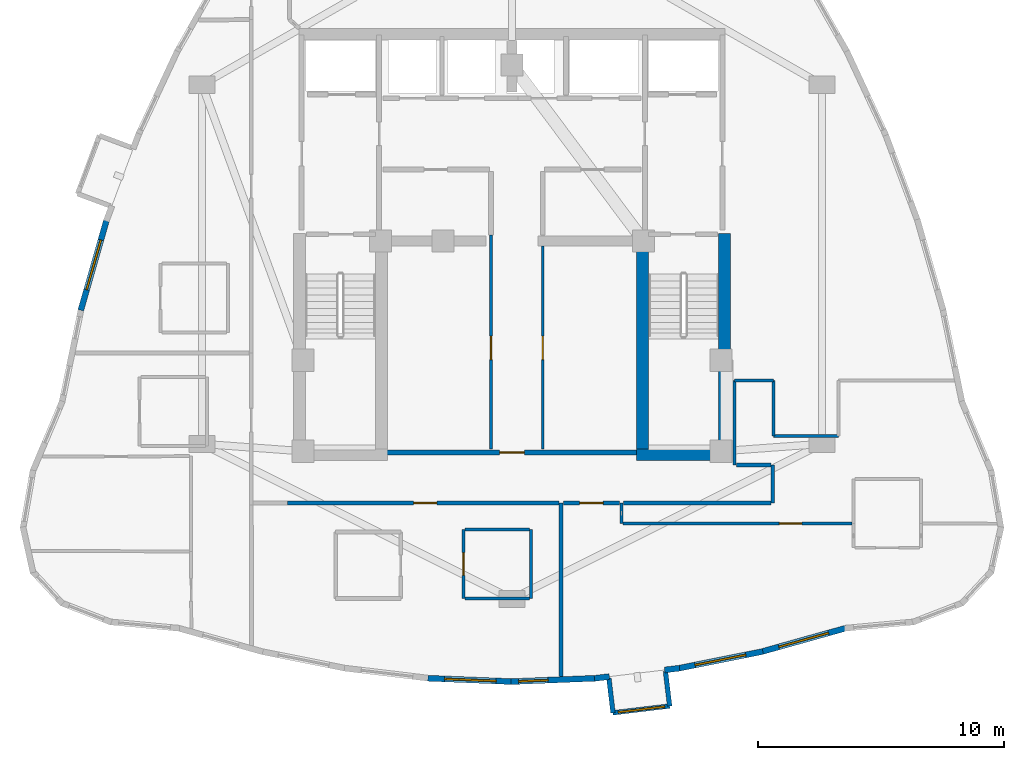
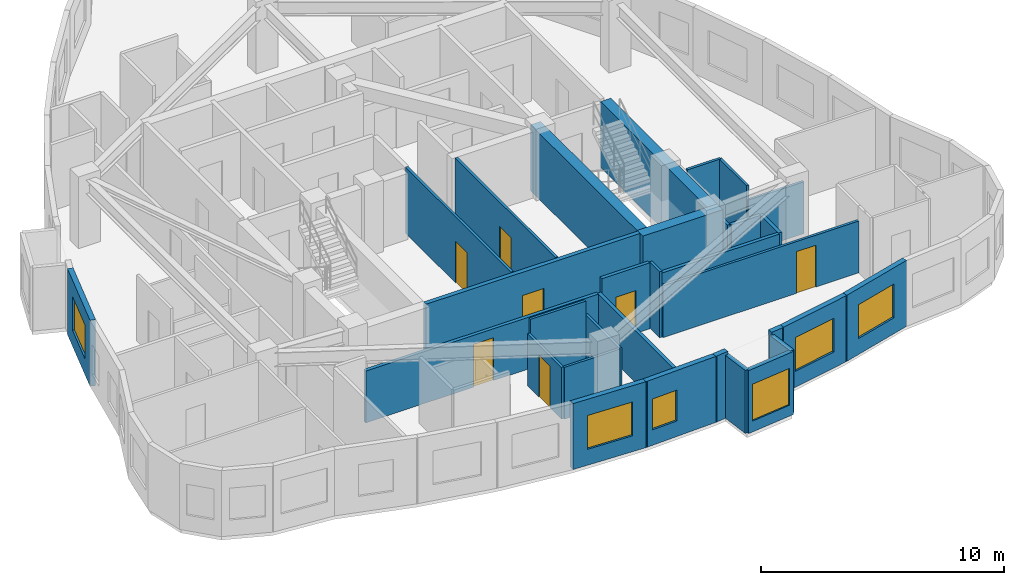
# One storey, part 7 of 12: 32 walls, 7 doors, 6 windows, 13 openings.
"""IFC4 building model written with IfcOpenShell, lengths in metres."""

from ifc_helpers import new_model, si_unit, direction, frame, frame_2d, origin, place, context, subcontext, project, spatial, rectangle, extrude, material, layer, layer_set, type_object, element, fill, save


model = new_model("IFC4")

# Units and contexts
model_context = context("Model", 3, precision=1e-05, world=origin(), true_north=direction((0.0, 1.0)))
body_context = subcontext(model_context, "Body", "Model", "MODEL_VIEW")
ifc_project = project(units=[si_unit("LENGTHUNIT", "METRE"), si_unit("AREAUNIT", "SQUARE_METRE"), si_unit("VOLUMEUNIT", "CUBIC_METRE"), si_unit("PLANEANGLEUNIT", "RADIAN"), si_unit("MASSUNIT", "GRAM", prefix="KILO")], contexts=[model_context])

# Site, building, storey
site_placement = place(None, origin())
site = spatial("IfcSite", under=ifc_project, at=site_placement, CompositionType="ELEMENT")
building_placement = place(site_placement, origin())
building = spatial("IfcBuilding", under=site, at=building_placement, Name="Miruveldt Soraemaru", CompositionType="ELEMENT")
storey_placement = place(building_placement, frame((0.0, 0.0, 248.39990234375)))
storey = spatial("IfcBuildingStorey", under=building, at=storey_placement, Name="L68", CompositionType="ELEMENT", Elevation=248.39990234375)

# Walls
ifc_material_1 = material(Name="White powder-coated aluminium EN AW-6060 T6", Category="aluminium")
ifc_layer_1 = layer(ifc_material_1, 0.18994140625, Name="White powder-coated aluminium EN AW-6060 T6", Category="aluminium")
ifc_layer_set_1 = layer_set([ifc_layer_1], Name="White powder-coated aluminium EN AW-6060 T6")
wall_type_1 = type_object("IfcWallType", Name="WALL-BAY-ALU190", PredefinedType="SOLIDWALL", material=ifc_layer_set_1)
wall_1_placement = place(storey_placement, frame((47.93603515625, 26.281982421875, 0.0), z_axis=(0.0, 0.0, 1.0), x_axis=(0.119057405757, -0.992887372331, 0.0)))
element("IfcWall", 1, at=wall_1_placement, inside=storey, type_object=wall_type_1, Name="L68 Bay Window Side Cheek 1L", PredefinedType="SOLIDWALL", context=body_context, shape_type="SweptSolid", body=[
    extrude(rectangle(XDim=1.42529296875, YDim=0.18994140625, at=frame_2d((0.712646484375, 0.0))), origin(), (0.0, 0.0, 1.0), 3.1650390625),
])
wall_2_placement = place(storey_placement, frame((50.4091796875, 25.1435546875, 0.0), z_axis=(0.0, 0.0, 1.0), x_axis=(-0.119077659317, 0.992884943511, 0.0)))
element("IfcWall", 2, at=wall_2_placement, inside=storey, type_object=wall_type_1, Name="L68 Bay Window Side Cheek 1R", PredefinedType="SOLIDWALL", context=body_context, shape_type="SweptSolid", body=[
    extrude(rectangle(XDim=1.425048828125, YDim=0.18994140625, at=frame_2d((0.71240234375, 0.0))), origin(), (0.0, 0.0, 1.0), 3.1650390625),
])

# Wall, opening, window
wall_3_placement = place(storey_placement, frame((48.105712890625, 24.866943359375, 0.0), z_axis=(0.0, 0.0, 1.0), x_axis=(0.992866876124, 0.119228210986, 0.0)))
wall_3 = element("IfcWall", 3, at=wall_3_placement, inside=storey, type_object=wall_type_1, Name="L68 Bay Window Front Frame 1", PredefinedType="SOLIDWALL", context=body_context, shape_type="SweptSolid", body=[
    extrude(rectangle(XDim=2.320068359375, YDim=0.18994140625, at=frame_2d((1.16015625, 0.0))), origin(), (0.0, 0.0, 1.0), 3.1650390625),
])
opening_1_placement = place(wall_3_placement, frame((0.2099609375, 0.0, 0.550048828125)))
opening_1 = element("IfcOpeningElement", 4, at=opening_1_placement, cuts=wall_3, Name="Opening WN-6", PredefinedType="OPENING", context=body_context, shape_type="SweptSolid", body=[
    extrude(rectangle(XDim=1.89990234375, YDim=1.85009765625, at=frame_2d((0.949951171875, 0.925048828125))), frame((0.0, 0.10498046875, 0.0), z_axis=(0.0, -1.0, 0.0), x_axis=(1.0, 0.0, 0.0)), (0.0, 0.0, 1.0), 0.2099609375),
])
ifc_material_2 = material(Name="Triple low-e insulated glazing", Category="glass")
window_type_1 = type_object("IfcWindowType", Name="WIN-BAYW-1900x1850", PartitioningType="SINGLE_PANEL", PredefinedType="WINDOW", material=ifc_material_2)
window_1_placement = place(opening_1_placement, origin())
window_1 = element("IfcWindow", 5, at=window_1_placement, inside=storey, type_object=window_type_1, Name="L68 Projecting Bay Window 1", OverallHeight=1.85009765625, OverallWidth=1.89990234375, PartitioningType="SINGLE_PANEL", PredefinedType="WINDOW", context=body_context, shape_type="SweptSolid", body=[
    extrude(rectangle(XDim=1.89990234375, YDim=1.85009765625, at=frame_2d((0.949951171875, 0.925048828125))), frame((0.0, 0.030029296875, 0.0), z_axis=(0.0, -1.0, 0.0), x_axis=(1.0, 0.0, 0.0)), (0.0, 0.0, 1.0), 0.06005859375),
])
fill(opening_1, window_1)

# Walls
ifc_material_3 = material(Name="Concrete C60/75 (60 MPa)", Category="concrete")
ifc_layer_2 = layer(ifc_material_3, 0.47998046875, Name="Concrete C60/75 (60 MPa)", Category="concrete")
ifc_layer_set_2 = layer_set([ifc_layer_2], Name="Concrete C60/75 (60 MPa)")
wall_type_2 = type_object("IfcWallType", Name="WALL-CW-480", PredefinedType="SHEAR", material=ifc_layer_set_2)
wall_4_placement = place(storey_placement, frame((49.070068359375, 35.360107421875, 0.0), z_axis=(0.0, 0.0, 1.0), x_axis=(1.0, 0.0, 0.0)))
element("IfcWall", 6, at=wall_4_placement, inside=storey, type_object=wall_type_2, Name="L68 Central Core Shear Wall S2", PredefinedType="SHEAR", context=body_context, shape_type="SweptSolid", body=[
    extrude(rectangle(XDim=3.809814453125, YDim=0.47998046875, at=frame_2d((1.90478515625, 0.0))), origin(), (0.0, 0.0, 1.0), 3.315185546875),
])
wall_5_placement = place(storey_placement, frame((52.639892578125, 35.1201171875, 0.0), z_axis=(0.0, 0.0, 1.0), x_axis=(0.0, 1.0, 0.0)))
element("IfcWall", 7, at=wall_5_placement, inside=storey, type_object=wall_type_2, Name="L68 Central Core Shear Wall E1", PredefinedType="SHEAR", context=body_context, shape_type="SweptSolid", body=[
    extrude(rectangle(XDim=9.22998046875, YDim=0.47998046875, at=frame_2d((4.614990234375, 0.0))), origin(), (0.0, 0.0, 1.0), 3.315185546875),
])
wall_6_placement = place(storey_placement, frame((49.31005859375, 35.39990234375, 0.0), z_axis=(0.0, 0.0, 1.0), x_axis=(0.0, 1.0, 0.0)))
element("IfcWall", 8, at=wall_6_placement, inside=storey, type_object=wall_type_2, Name="L68 Central Core Shear Wall SE-INT", PredefinedType="SHEAR", context=body_context, shape_type="SweptSolid", body=[
    extrude(rectangle(XDim=8.9501953125, YDim=0.47998046875, at=frame_2d((4.47509765625, 0.0))), origin(), (0.0, 0.0, 1.0), 3.315185546875),
])

# Wall, opening, window
ifc_material_4 = material(Name="Precast concrete C45/55 (45 MPa)", Category="concrete")
ifc_layer_3 = layer(ifc_material_4, 0.239990234375, Name="Precast concrete C45/55 (45 MPa)", Category="concrete")
ifc_layer_set_3 = layer_set([ifc_layer_3], Name="Precast concrete C45/55 (45 MPa)")
wall_type_3 = type_object("IfcWallType", Name="WALL-EXT-PC240", PredefinedType="SOLIDWALL", material=ifc_layer_set_3)
wall_7_placement = place(storey_placement, frame((27.52685546875, 44.92333984375, 0.0), z_axis=(0.0, 0.0, 1.0), x_axis=(-0.274981433987, -0.961449536358, 0.0)))
wall_7 = element("IfcWall", 9, at=wall_7_placement, inside=storey, type_object=wall_type_3, Name="L68 Precast Concrete Facade Wall 13", PredefinedType="SOLIDWALL", context=body_context, shape_type="SweptSolid", body=[
    extrude(rectangle(XDim=3.83984375, YDim=0.239990234375, at=frame_2d((1.919921875, 0.0))), origin(), (0.0, 0.0, 1.0), 3.315185546875),
])
opening_2_placement = place(wall_7_placement, frame((0.8701171875, 0.0, 0.800048828125)))
opening_2 = element("IfcOpeningElement", 10, at=opening_2_placement, cuts=wall_7, Name="Opening WN-1", PredefinedType="OPENING", context=body_context, shape_type="SweptSolid", body=[
    extrude(rectangle(XDim=2.10009765625, YDim=1.699951171875, at=frame_2d((1.050048828125, 0.85009765625))), frame((0.0, 0.1298828125, 0.0), z_axis=(0.0, -1.0, 0.0), x_axis=(1.0, 0.0, 0.0)), (0.0, 0.0, 1.0), 0.260009765625),
])
window_type_2 = type_object("IfcWindowType", Name="WIN-PUNCH-2100x1700", PartitioningType="SINGLE_PANEL", PredefinedType="WINDOW", material=ifc_material_2)
window_2_placement = place(opening_2_placement, origin())
window_2 = element("IfcWindow", 11, at=window_2_placement, inside=storey, type_object=window_type_2, Name="L68 Punched Triple-Glazed Window 13.1", OverallHeight=1.699951171875, OverallWidth=2.10009765625, PartitioningType="SINGLE_PANEL", PredefinedType="WINDOW", context=body_context, shape_type="SweptSolid", body=[
    extrude(rectangle(XDim=2.10009765625, YDim=1.699951171875, at=frame_2d((1.050048828125, 0.85009765625))), frame((0.0, 0.030029296875, 0.0), z_axis=(0.0, -1.0, 0.0), x_axis=(1.0, 0.0, 0.0)), (0.0, 0.0, 1.0), 0.06005859375),
])
fill(opening_2, window_2)

wall_8_placement = place(storey_placement, frame((40.577392578125, 26.27294921875, 0.0), z_axis=(0.0, 0.0, 1.0), x_axis=(0.999199492851, -0.040004668299, 0.0)))
wall_8 = element("IfcWall", 12, at=wall_8_placement, inside=storey, type_object=wall_type_3, Name="L68 Precast Concrete Facade Wall 24", PredefinedType="SOLIDWALL", context=body_context, shape_type="SweptSolid", body=[
    extrude(rectangle(XDim=3.460205078125, YDim=0.239990234375, at=frame_2d((1.72998046875, 0.0))), origin(), (0.0, 0.0, 1.0), 3.315185546875),
])
opening_3_placement = place(wall_8_placement, frame((0.679931640625, 0.0, 0.800048828125)))
opening_3 = element("IfcOpeningElement", 13, at=opening_3_placement, cuts=wall_8, Name="Opening WN-1", PredefinedType="OPENING", context=body_context, shape_type="SweptSolid", body=[
    extrude(rectangle(XDim=2.10009765625, YDim=1.699951171875, at=frame_2d((1.050048828125, 0.85009765625))), frame((0.0, 0.1298828125, 0.0), z_axis=(0.0, -1.0, 0.0), x_axis=(1.0, 0.0, 0.0)), (0.0, 0.0, 1.0), 0.260009765625),
])
window_3_placement = place(opening_3_placement, origin())
window_3 = element("IfcWindow", 14, at=window_3_placement, inside=storey, type_object=window_type_2, Name="L68 Punched Triple-Glazed Window 24.1", OverallHeight=1.699951171875, OverallWidth=2.10009765625, PartitioningType="SINGLE_PANEL", PredefinedType="WINDOW", context=body_context, shape_type="SweptSolid", body=[
    extrude(rectangle(XDim=2.10009765625, YDim=1.699951171875, at=frame_2d((1.050048828125, 0.85009765625))), frame((0.0, 0.030029296875, 0.0), z_axis=(0.0, -1.0, 0.0), x_axis=(1.0, 0.0, 0.0)), (0.0, 0.0, 1.0), 0.06005859375),
])
fill(opening_3, window_3)

wall_9_placement = place(storey_placement, frame((43.965087890625, 26.134521484375, 0.0), z_axis=(0.0, 0.0, 1.0), x_axis=(0.999199492851, 0.040004668299, 0.0)))
wall_9 = element("IfcWall", 15, at=wall_9_placement, inside=storey, type_object=wall_type_3, Name="L68 Precast Concrete Facade Wall 25", PredefinedType="SOLIDWALL", context=body_context, shape_type="SweptSolid", body=[
    extrude(rectangle(XDim=3.460205078125, YDim=0.239990234375, at=frame_2d((1.72998046875, 0.0))), origin(), (0.0, 0.0, 1.0), 3.315185546875),
])
opening_4_placement = place(wall_9_placement, frame((0.300048828125, 0.0, 0.780029296875)))
opening_4 = element("IfcOpeningElement", 16, at=opening_4_placement, cuts=wall_9, Name="Opening WN-4", PredefinedType="OPENING", context=body_context, shape_type="SweptSolid", body=[
    extrude(rectangle(XDim=1.199951171875, YDim=1.550048828125, at=frame_2d((0.60009765625, 0.77490234375))), frame((0.0, 0.1298828125, 0.0), z_axis=(0.0, -1.0, 0.0), x_axis=(1.0, 0.0, 0.0)), (0.0, 0.0, 1.0), 0.260009765625),
])
window_type_3 = type_object("IfcWindowType", Name="WIN-PUNCH-1200x1550", PartitioningType="SINGLE_PANEL", PredefinedType="WINDOW", material=ifc_material_2)
window_4_placement = place(opening_4_placement, origin())
window_4 = element("IfcWindow", 17, at=window_4_placement, inside=storey, type_object=window_type_3, Name="L68 Punched Triple-Glazed Window 25.1", OverallHeight=1.550048828125, OverallWidth=1.199951171875, PartitioningType="SINGLE_PANEL", PredefinedType="WINDOW", context=body_context, shape_type="SweptSolid", body=[
    extrude(rectangle(XDim=1.199951171875, YDim=1.550048828125, at=frame_2d((0.60009765625, 0.77490234375))), frame((0.0, 0.030029296875, 0.0), z_axis=(0.0, -1.0, 0.0), x_axis=(1.0, 0.0, 0.0)), (0.0, 0.0, 1.0), 0.06005859375),
])
fill(opening_4, window_4)

# Walls
wall_10_placement = place(storey_placement, frame((47.352783203125, 26.267333984375, 0.0), z_axis=(0.0, 0.0, 1.0), x_axis=(0.992880620735, 0.119113697657, 0.0)))
element("IfcWall", 18, at=wall_10_placement, inside=storey, type_object=wall_type_3, Name="L68 Precast Pier Wall 26A", PredefinedType="SOLIDWALL", context=body_context, shape_type="SweptSolid", body=[
    extrude(rectangle(XDim=0.61083984375, YDim=0.239990234375, at=frame_2d((0.305419921875, 0.0))), origin(), (0.0, 0.0, 1.0), 3.315185546875),
])
wall_11_placement = place(storey_placement, frame((50.203125, 26.609375, 0.0), z_axis=(0.0, 0.0, 1.0), x_axis=(0.992886288481, 0.119066444252, 0.0)))
element("IfcWall", 19, at=wall_11_placement, inside=storey, type_object=wall_type_3, Name="L68 Precast Pier Wall 26B", PredefinedType="SOLIDWALL", context=body_context, shape_type="SweptSolid", body=[
    extrude(rectangle(XDim=0.611083984375, YDim=0.239990234375, at=frame_2d((0.3056640625, 0.0))), origin(), (0.0, 0.0, 1.0), 3.315185546875),
])

# Wall, opening, window
wall_12_placement = place(storey_placement, frame((50.74072265625, 26.671142578125, 0.0), z_axis=(0.0, 0.0, 1.0), x_axis=(0.980583339824, 0.196102814004, 0.0)))
wall_12 = element("IfcWall", 20, at=wall_12_placement, inside=storey, type_object=wall_type_3, Name="L68 Precast Concrete Facade Wall 27", PredefinedType="SOLIDWALL", context=body_context, shape_type="SweptSolid", body=[
    extrude(rectangle(XDim=3.5244140625, YDim=0.239990234375, at=frame_2d((1.76220703125, 0.0))), origin(), (0.0, 0.0, 1.0), 3.315185546875),
])
opening_5_placement = place(wall_12_placement, frame((0.712890625, 0.0, 0.800048828125)))
opening_5 = element("IfcOpeningElement", 21, at=opening_5_placement, cuts=wall_12, Name="Opening WN-1", PredefinedType="OPENING", context=body_context, shape_type="SweptSolid", body=[
    extrude(rectangle(XDim=2.10009765625, YDim=1.699951171875, at=frame_2d((1.050048828125, 0.85009765625))), frame((0.0, 0.1298828125, 0.0), z_axis=(0.0, -1.0, 0.0), x_axis=(1.0, 0.0, 0.0)), (0.0, 0.0, 1.0), 0.260009765625),
])
window_5_placement = place(opening_5_placement, origin())
window_5 = element("IfcWindow", 22, at=window_5_placement, inside=storey, type_object=window_type_2, Name="L68 Punched Triple-Glazed Window 27.1", OverallHeight=1.699951171875, OverallWidth=2.10009765625, PartitioningType="SINGLE_PANEL", PredefinedType="WINDOW", context=body_context, shape_type="SweptSolid", body=[
    extrude(rectangle(XDim=2.10009765625, YDim=1.699951171875, at=frame_2d((1.050048828125, 0.85009765625))), frame((0.0, 0.030029296875, 0.0), z_axis=(0.0, -1.0, 0.0), x_axis=(1.0, 0.0, 0.0)), (0.0, 0.0, 1.0), 0.06005859375),
])
fill(opening_5, window_5)

wall_13_placement = place(storey_placement, frame((54.12890625, 27.34619140625, 0.0), z_axis=(0.0, 0.0, 1.0), x_axis=(0.962964019714, 0.26962992552, 0.0)))
wall_13 = element("IfcWall", 23, at=wall_13_placement, inside=storey, type_object=wall_type_3, Name="L68 Precast Concrete Facade Wall 28", PredefinedType="SOLIDWALL", context=body_context, shape_type="SweptSolid", body=[
    extrude(rectangle(XDim=3.58740234375, YDim=0.239990234375, at=frame_2d((1.793701171875, 0.0))), origin(), (0.0, 0.0, 1.0), 3.315185546875),
])
opening_6_placement = place(wall_13_placement, frame((0.743896484375, 0.0, 0.800048828125)))
opening_6 = element("IfcOpeningElement", 24, at=opening_6_placement, cuts=wall_13, Name="Opening WN-1", PredefinedType="OPENING", context=body_context, shape_type="SweptSolid", body=[
    extrude(rectangle(XDim=2.10009765625, YDim=1.699951171875, at=frame_2d((1.050048828125, 0.85009765625))), frame((0.0, 0.1298828125, 0.0), z_axis=(0.0, -1.0, 0.0), x_axis=(1.0, 0.0, 0.0)), (0.0, 0.0, 1.0), 0.260009765625),
])
window_6_placement = place(opening_6_placement, origin())
window_6 = element("IfcWindow", 25, at=window_6_placement, inside=storey, type_object=window_type_2, Name="L68 Punched Triple-Glazed Window 28.1", OverallHeight=1.699951171875, OverallWidth=2.10009765625, PartitioningType="SINGLE_PANEL", PredefinedType="WINDOW", context=body_context, shape_type="SweptSolid", body=[
    extrude(rectangle(XDim=2.10009765625, YDim=1.699951171875, at=frame_2d((1.050048828125, 0.85009765625))), frame((0.0, 0.030029296875, 0.0), z_axis=(0.0, -1.0, 0.0), x_axis=(1.0, 0.0, 0.0)), (0.0, 0.0, 1.0), 0.06005859375),
])
fill(opening_6, window_6)

# Wall, opening, door
ifc_material_5 = material(Name="Gypsum plasterboard lining", Category="gypsum")
ifc_layer_4 = layer(ifc_material_5, 0.1201171875, Name="Gypsum plasterboard lining", Category="gypsum")
ifc_layer_set_4 = layer_set([ifc_layer_4], Name="Gypsum plasterboard lining")
wall_type_4 = type_object("IfcWallType", Name="WALL-INT-P120", PredefinedType="PARTITIONING", material=ifc_layer_set_4)
wall_14_placement = place(storey_placement, frame((57.820068359375, 32.56201171875, 0.0), z_axis=(0.0, 0.0, 1.0), x_axis=(-1.0, 0.0, 0.0)))
wall_14 = element("IfcWall", 26, at=wall_14_placement, inside=storey, type_object=wall_type_4, Name="L68 Partition Wall 48", PredefinedType="PARTITIONING", context=body_context, shape_type="SweptSolid", body=[
    extrude(rectangle(XDim=9.31005859375, YDim=0.1201171875, at=frame_2d((4.655029296875, 0.0))), origin(), (0.0, 0.0, 1.0), 2.60302734375),
])
opening_7_placement = place(wall_14_placement, frame((2.034912109375, 0.0, 0.0)))
opening_7 = element("IfcOpeningElement", 27, at=opening_7_placement, cuts=wall_14, Name="Opening D3A", PredefinedType="OPENING", context=body_context, shape_type="SweptSolid", body=[
    extrude(rectangle(XDim=0.919921875, YDim=2.10009765625, at=frame_2d((0.4599609375, 1.050048828125))), frame((0.0, 0.070068359375, 0.0), z_axis=(0.0, -1.0, 0.0), x_axis=(1.0, 0.0, 0.0)), (0.0, 0.0, 1.0), 0.14013671875),
])
ifc_material_6 = material(Name="Anodised aluminium EN AW-6063 T6", Category="aluminium")
door_type_1 = type_object("IfcDoorType", Name="DOOR-INT-920", OperationType="NOTDEFINED", PredefinedType="DOOR", material=ifc_material_6)
door_1_placement = place(opening_7_placement, origin())
door_1 = element("IfcDoor", 28, at=door_1_placement, inside=storey, type_object=door_type_1, Name="L68 Unit 6805 BD1 Door", OperationType="SINGLE_SWING_RIGHT", OverallHeight=2.10009765625, OverallWidth=0.919921875, PredefinedType="DOOR", context=body_context, shape_type="SweptSolid", body=[
    extrude(rectangle(XDim=0.919921875, YDim=2.10009765625, at=frame_2d((0.4599609375, 1.050048828125))), frame((0.0, 0.02490234375, 0.0), z_axis=(0.0, -1.0, 0.0), x_axis=(1.0, 0.0, 0.0)), (0.0, 0.0, 1.0), 0.050048828125),
])
fill(opening_7, door_1)

wall_15_placement = place(storey_placement, frame((43.14990234375, 35.60009765625, 0.0), z_axis=(0.0, 0.0, 1.0), x_axis=(0.0, 1.0, 0.0)))
wall_15 = element("IfcWall", 29, at=wall_15_placement, inside=storey, type_object=wall_type_4, Name="L68 Core Compartment Wall SP-WL", PredefinedType="PARTITIONING", context=body_context, shape_type="SweptSolid", body=[
    extrude(rectangle(XDim=8.699951171875, YDim=0.1201171875, at=frame_2d((4.35009765625, 0.0))), origin(), (0.0, 0.0, 1.0), 3.315185546875),
])
opening_8_placement = place(wall_15_placement, frame((3.625, 0.0, 0.0)))
opening_8 = element("IfcOpeningElement", 30, at=opening_8_placement, cuts=wall_15, Name="Opening D2", PredefinedType="OPENING", context=body_context, shape_type="SweptSolid", body=[
    extrude(rectangle(XDim=0.949951171875, YDim=2.10009765625, at=frame_2d((0.47509765625, 1.050048828125))), frame((0.0, 0.070068359375, 0.0), z_axis=(0.0, -1.0, 0.0), x_axis=(1.0, 0.0, 0.0)), (0.0, 0.0, 1.0), 0.14013671875),
])
door_type_2 = type_object("IfcDoorType", Name="DOOR-INT-950", OperationType="NOTDEFINED", PredefinedType="DOOR", material=ifc_material_6)
door_2_placement = place(opening_8_placement, origin())
door_2 = element("IfcDoor", 31, at=door_2_placement, inside=storey, type_object=door_type_2, Name="L68 Fire Door", OperationType="SINGLE_SWING_LEFT", OverallHeight=2.10009765625, OverallWidth=0.949951171875, PredefinedType="DOOR", context=body_context, shape_type="SweptSolid", body=[
    extrude(rectangle(XDim=0.949951171875, YDim=2.10009765625, at=frame_2d((0.47509765625, 1.050048828125))), frame((0.0, 0.02490234375, 0.0), z_axis=(0.0, -1.0, 0.0), x_axis=(1.0, 0.0, 0.0)), (0.0, 0.0, 1.0), 0.050048828125),
])
fill(opening_8, door_2)

wall_16_placement = place(storey_placement, frame((45.25, 35.60009765625, 0.0), z_axis=(0.0, 0.0, 1.0), x_axis=(0.0, 1.0, 0.0)))
wall_16 = element("IfcWall", 32, at=wall_16_placement, inside=storey, type_object=wall_type_4, Name="L68 Core Compartment Wall SP-EL", PredefinedType="PARTITIONING", context=body_context, shape_type="SweptSolid", body=[
    extrude(rectangle(XDim=8.25, YDim=0.1201171875, at=frame_2d((4.125, 0.0))), origin(), (0.0, 0.0, 1.0), 3.315185546875),
])
opening_9_placement = place(wall_16_placement, frame((3.625, 0.0, 0.0)))
opening_9 = element("IfcOpeningElement", 33, at=opening_9_placement, cuts=wall_16, Name="Opening D2", PredefinedType="OPENING", context=body_context, shape_type="SweptSolid", body=[
    extrude(rectangle(XDim=0.949951171875, YDim=2.10009765625, at=frame_2d((0.47509765625, 1.050048828125))), frame((0.0, 0.070068359375, 0.0), z_axis=(0.0, -1.0, 0.0), x_axis=(1.0, 0.0, 0.0)), (0.0, 0.0, 1.0), 0.14013671875),
])
door_3_placement = place(opening_9_placement, origin())
door_3 = element("IfcDoor", 34, at=door_3_placement, inside=storey, type_object=door_type_2, Name="L68 Fire Door", OperationType="SINGLE_SWING_LEFT", OverallHeight=2.10009765625, OverallWidth=0.949951171875, PredefinedType="DOOR", context=body_context, shape_type="SweptSolid", body=[
    extrude(rectangle(XDim=0.949951171875, YDim=2.10009765625, at=frame_2d((0.47509765625, 1.050048828125))), frame((0.0, 0.02490234375, 0.0), z_axis=(0.0, -1.0, 0.0), x_axis=(1.0, 0.0, 0.0)), (0.0, 0.0, 1.0), 0.050048828125),
])
fill(opening_9, door_3)

wall_17_placement = place(storey_placement, frame((42.030029296875, 32.318115234375, 0.0), z_axis=(0.0, 0.0, 1.0), x_axis=(0.0, -1.0, 0.0)))
wall_17 = element("IfcWall", 35, at=wall_17_placement, inside=storey, type_object=wall_type_4, Name="L68 Partition Wall 41", PredefinedType="PARTITIONING", context=body_context, shape_type="SweptSolid", body=[
    extrude(rectangle(XDim=2.800048828125, YDim=0.1201171875, at=frame_2d((1.39990234375, 0.0))), origin(), (0.0, 0.0, 1.0), 2.60302734375),
])
opening_10_placement = place(wall_17_placement, frame((0.93994140625, 0.0, 0.0)))
opening_10 = element("IfcOpeningElement", 36, at=opening_10_placement, cuts=wall_17, Name="Opening D3A", PredefinedType="OPENING", context=body_context, shape_type="SweptSolid", body=[
    extrude(rectangle(XDim=0.919921875, YDim=2.10009765625, at=frame_2d((0.4599609375, 1.050048828125))), frame((0.0, 0.070068359375, 0.0), z_axis=(0.0, -1.0, 0.0), x_axis=(1.0, 0.0, 0.0)), (0.0, 0.0, 1.0), 0.14013671875),
])
door_4_placement = place(opening_10_placement, origin())
door_4 = element("IfcDoor", 37, at=door_4_placement, inside=storey, type_object=door_type_1, Name="L68 Unit 6804 KIT Door", OperationType="SINGLE_SWING_LEFT", OverallHeight=2.10009765625, OverallWidth=0.919921875, PredefinedType="DOOR", context=body_context, shape_type="SweptSolid", body=[
    extrude(rectangle(XDim=0.919921875, YDim=2.10009765625, at=frame_2d((0.4599609375, 1.050048828125))), frame((0.0, 0.02490234375, 0.0), z_axis=(0.0, -1.0, 0.0), x_axis=(1.0, 0.0, 0.0)), (0.0, 0.0, 1.0), 0.050048828125),
])
fill(opening_10, door_4)

# Walls
wall_18_placement = place(storey_placement, frame((53.050048828125, 34.949951171875, 0.0), z_axis=(0.0, 0.0, 1.0), x_axis=(0.0, 1.0, 0.0)))
element("IfcWall", 38, at=wall_18_placement, inside=storey, type_object=wall_type_4, Name="L68 Partition Wall 53", PredefinedType="PARTITIONING", context=body_context, shape_type="SweptSolid", body=[
    extrude(rectangle(XDim=3.43115234375, YDim=0.1201171875, at=frame_2d((1.715576171875, 0.0))), origin(), (0.0, 0.0, 1.0), 2.60302734375),
])
wall_19_placement = place(storey_placement, frame((44.780029296875, 29.51806640625, 0.0), z_axis=(0.0, 0.0, 1.0), x_axis=(0.0, 1.0, 0.0)))
element("IfcWall", 39, at=wall_19_placement, inside=storey, type_object=wall_type_4, Name="L68 Partition Wall 39", PredefinedType="PARTITIONING", context=body_context, shape_type="SweptSolid", body=[
    extrude(rectangle(XDim=2.800048828125, YDim=0.1201171875, at=frame_2d((1.39990234375, 0.0))), origin(), (0.0, 0.0, 1.0), 2.60302734375),
])
wall_20_placement = place(storey_placement, frame((54.6298828125, 36.1279296875, 0.0), z_axis=(0.0, 0.0, 1.0), x_axis=(1.0, 0.0, 0.0)))
element("IfcWall", 40, at=wall_20_placement, inside=storey, type_object=wall_type_4, Name="L68 Partition Wall 56", PredefinedType="PARTITIONING", context=body_context, shape_type="SweptSolid", body=[
    extrude(rectangle(XDim=2.650146484375, YDim=0.1201171875, at=frame_2d((1.3251953125, 0.0))), origin(), (0.0, 0.0, 1.0), 2.60302734375),
])
wall_21_placement = place(storey_placement, frame((44.719970703125, 32.318115234375, 0.0), z_axis=(0.0, 0.0, 1.0), x_axis=(-1.0, 0.0, 0.0)))
element("IfcWall", 41, at=wall_21_placement, inside=storey, type_object=wall_type_4, Name="L68 Partition Wall 40", PredefinedType="PARTITIONING", context=body_context, shape_type="SweptSolid", body=[
    extrude(rectangle(XDim=2.6298828125, YDim=0.1201171875, at=frame_2d((1.31494140625, 0.0))), origin(), (0.0, 0.0, 1.0), 3.315185546875),
])
wall_22_placement = place(storey_placement, frame((42.090087890625, 29.51806640625, 0.0), z_axis=(0.0, 0.0, 1.0), x_axis=(1.0, 0.0, 0.0)))
element("IfcWall", 42, at=wall_22_placement, inside=storey, type_object=wall_type_4, Name="L68 Partition Wall 42", PredefinedType="PARTITIONING", context=body_context, shape_type="SweptSolid", body=[
    extrude(rectangle(XDim=2.6298828125, YDim=0.1201171875, at=frame_2d((1.31494140625, 0.0))), origin(), (0.0, 0.0, 1.0), 2.60302734375),
])
wall_23_placement = place(storey_placement, frame((54.6298828125, 38.381103515625, 0.0), z_axis=(0.0, 0.0, 1.0), x_axis=(0.0, -1.0, 0.0)))
element("IfcWall", 43, at=wall_23_placement, inside=storey, type_object=wall_type_4, Name="L68 Partition Wall 55", PredefinedType="PARTITIONING", context=body_context, shape_type="SweptSolid", body=[
    extrude(rectangle(XDim=2.253173828125, YDim=0.1201171875, at=frame_2d((1.12646484375, 0.0))), origin(), (0.0, 0.0, 1.0), 3.315185546875),
])
wall_24_placement = place(storey_placement, frame((53.050048828125, 38.381103515625, 0.0), z_axis=(0.0, 0.0, 1.0), x_axis=(1.0, 0.0, 0.0)))
element("IfcWall", 44, at=wall_24_placement, inside=storey, type_object=wall_type_4, Name="L68 Partition Wall 54", PredefinedType="PARTITIONING", context=body_context, shape_type="SweptSolid", body=[
    extrude(rectangle(XDim=1.579833984375, YDim=0.1201171875, at=frame_2d((0.7900390625, 0.0))), origin(), (0.0, 0.0, 1.0), 3.315185546875),
])
wall_25_placement = place(storey_placement, frame((48.449951171875, 32.56201171875, 0.0), z_axis=(0.0, 0.0, 1.0), x_axis=(0.0, 1.0, 0.0)))
element("IfcWall", 45, at=wall_25_placement, inside=storey, type_object=wall_type_4, Name="L68 Partition Wall 49", PredefinedType="PARTITIONING", context=body_context, shape_type="SweptSolid", body=[
    extrude(rectangle(XDim=0.837890625, YDim=0.1201171875, at=frame_2d((0.4189453125, 0.0))), origin(), (0.0, 0.0, 1.0), 3.315185546875),
])

# Wall, opening, door
ifc_material_7 = material(Name="Concrete C40/50 (40 MPa)", Category="concrete")
ifc_layer_5 = layer(ifc_material_7, 0.159912109375, Name="Concrete C40/50 (40 MPa)", Category="concrete")
ifc_layer_set_5 = layer_set([ifc_layer_5], Name="Concrete C40/50 (40 MPa)")
wall_type_5 = type_object("IfcWallType", Name="WALL-INT-RC160", PredefinedType="SOLIDWALL", material=ifc_layer_set_5)
wall_26_placement = place(storey_placement, frame((34.8701171875, 33.39990234375, 0.0), z_axis=(0.0, 0.0, 1.0), x_axis=(1.0, 0.0, 0.0)))
wall_26 = element("IfcWall", 46, at=wall_26_placement, inside=storey, type_object=wall_type_5, Name="L68 Partition Wall 7", PredefinedType="SOLIDWALL", context=body_context, shape_type="SweptSolid", body=[
    extrude(rectangle(XDim=11.0498046875, YDim=0.159912109375, at=frame_2d((5.52490234375, 0.0))), origin(), (0.0, 0.0, 1.0), 2.60302734375),
])
opening_11_placement = place(wall_26_placement, frame((5.1298828125, 0.0, 0.0)))
opening_11 = element("IfcOpeningElement", 47, at=opening_11_placement, cuts=wall_26, Name="Opening FD2", PredefinedType="OPENING", context=body_context, shape_type="SweptSolid", body=[
    extrude(rectangle(XDim=0.949951171875, YDim=2.14990234375, at=frame_2d((0.47509765625, 1.074951171875))), frame((0.0, 0.08984375, 0.0), z_axis=(0.0, -1.0, 0.0), x_axis=(1.0, 0.0, 0.0)), (0.0, 0.0, 1.0), 0.179931640625),
])
door_type_3 = type_object("IfcDoorType", Name="DOOR-FD2-950", OperationType="NOTDEFINED", PredefinedType="DOOR", material=ifc_material_6)
door_5_placement = place(opening_11_placement, origin())
door_5 = element("IfcDoor", 48, at=door_5_placement, inside=storey, type_object=door_type_3, Name="L68 Unit 6804 Entrance Fire Door", OperationType="SINGLE_SWING_LEFT", OverallHeight=2.14990234375, OverallWidth=0.949951171875, PredefinedType="DOOR", context=body_context, shape_type="SweptSolid", body=[
    extrude(rectangle(XDim=0.949951171875, YDim=2.14990234375, at=frame_2d((0.47509765625, 1.074951171875))), frame((0.0, 0.02490234375, 0.0), z_axis=(0.0, -1.0, 0.0), x_axis=(1.0, 0.0, 0.0)), (0.0, 0.0, 1.0), 0.050048828125),
])
fill(opening_11, door_5)

wall_27_placement = place(storey_placement, frame((46.083984375, 33.39990234375, 0.0), z_axis=(0.0, 0.0, 1.0), x_axis=(1.0, 0.0, 0.0)))
wall_27 = element("IfcWall", 49, at=wall_27_placement, inside=storey, type_object=wall_type_5, Name="L68 Partition Wall 8", PredefinedType="SOLIDWALL", context=body_context, shape_type="SweptSolid", body=[
    extrude(rectangle(XDim=2.281982421875, YDim=0.159912109375, at=frame_2d((1.14111328125, 0.0))), origin(), (0.0, 0.0, 1.0), 3.315185546875),
])
opening_12_placement = place(wall_27_placement, frame((0.666015625, 0.0, 0.0)))
opening_12 = element("IfcOpeningElement", 50, at=opening_12_placement, cuts=wall_27, Name="Opening FD2", PredefinedType="OPENING", context=body_context, shape_type="SweptSolid", body=[
    extrude(rectangle(XDim=0.949951171875, YDim=2.14990234375, at=frame_2d((0.47509765625, 1.074951171875))), frame((0.0, 0.08984375, 0.0), z_axis=(0.0, -1.0, 0.0), x_axis=(1.0, 0.0, 0.0)), (0.0, 0.0, 1.0), 0.179931640625),
])
door_6_placement = place(opening_12_placement, origin())
door_6 = element("IfcDoor", 51, at=door_6_placement, inside=storey, type_object=door_type_3, Name="L68 Unit 6805 Entrance Fire Door", OperationType="SINGLE_SWING_RIGHT", OverallHeight=2.14990234375, OverallWidth=0.949951171875, PredefinedType="DOOR", context=body_context, shape_type="SweptSolid", body=[
    extrude(rectangle(XDim=0.949951171875, YDim=2.14990234375, at=frame_2d((0.47509765625, 1.074951171875))), frame((0.0, 0.02490234375, 0.0), z_axis=(0.0, -1.0, 0.0), x_axis=(1.0, 0.0, 0.0)), (0.0, 0.0, 1.0), 0.050048828125),
])
fill(opening_12, door_6)

# Walls
wall_28_placement = place(storey_placement, frame((45.998046875, 26.35107421875, 0.0), z_axis=(0.0, 0.0, 1.0), x_axis=(0.000277238692, 0.999999961569, 0.0)))
element("IfcWall", 52, at=wall_28_placement, inside=storey, type_object=wall_type_5, Name="L68 Partition Wall 43", PredefinedType="SOLIDWALL", context=body_context, shape_type="SweptSolid", body=[
    extrude(rectangle(XDim=7.044921875, YDim=0.159912109375, at=frame_2d((3.5224609375, 0.0))), origin(), (0.0, 0.0, 1.0), 2.60302734375),
])
wall_29_placement = place(storey_placement, frame((48.530029296875, 33.39990234375, 0.0), z_axis=(0.0, 0.0, 1.0), x_axis=(1.0, 0.0, 0.0)))
element("IfcWall", 53, at=wall_29_placement, inside=storey, type_object=wall_type_5, Name="L68 Partition Wall 9", PredefinedType="SOLIDWALL", context=body_context, shape_type="SweptSolid", body=[
    extrude(rectangle(XDim=5.989990234375, YDim=0.159912109375, at=frame_2d((2.9951171875, 0.0))), origin(), (0.0, 0.0, 1.0), 2.60302734375),
])
wall_30_placement = place(storey_placement, frame((54.60009765625, 33.39990234375, 0.0), z_axis=(0.0, 0.0, 1.0), x_axis=(0.0, 1.0, 0.0)))
element("IfcWall", 54, at=wall_30_placement, inside=storey, type_object=wall_type_5, Name="L68 Partition Wall 10", PredefinedType="SOLIDWALL", context=body_context, shape_type="SweptSolid", body=[
    extrude(rectangle(XDim=1.550048828125, YDim=0.159912109375, at=frame_2d((0.77490234375, 0.0))), origin(), (0.0, 0.0, 1.0), 2.60302734375),
])
wall_31_placement = place(storey_placement, frame((54.52001953125, 34.949951171875, 0.0), z_axis=(0.0, 0.0, 1.0), x_axis=(-1.0, 0.0, 0.0)))
element("IfcWall", 55, at=wall_31_placement, inside=storey, type_object=wall_type_5, Name="L68 Partition Wall 11", PredefinedType="SOLIDWALL", context=body_context, shape_type="SweptSolid", body=[
    extrude(rectangle(XDim=1.39013671875, YDim=0.159912109375, at=frame_2d((0.695068359375, 0.0))), origin(), (0.0, 0.0, 1.0), 2.60302734375),
])

# Wall, opening, door
ifc_layer_6 = layer(ifc_material_7, 0.199951171875, Name="Concrete C40/50 (40 MPa)", Category="concrete")
ifc_layer_set_6 = layer_set([ifc_layer_6], Name="Concrete C40/50 (40 MPa)")
wall_type_6 = type_object("IfcWallType", Name="WALL-INT-RC200", PredefinedType="SOLIDWALL", material=ifc_layer_set_6)
wall_32_placement = place(storey_placement, frame((38.89990234375, 35.449951171875, 0.0), z_axis=(0.0, 0.0, 1.0), x_axis=(1.0, 0.0, 0.0)))
wall_32 = element("IfcWall", 56, at=wall_32_placement, inside=storey, type_object=wall_type_6, Name="L68 Core Compartment Wall CS-S", PredefinedType="SOLIDWALL", context=body_context, shape_type="SweptSolid", body=[
    extrude(rectangle(XDim=10.2001953125, YDim=0.199951171875, at=frame_2d((5.10009765625, 0.0))), origin(), (0.0, 0.0, 1.0), 3.315185546875),
])
opening_13_placement = place(wall_32_placement, frame((4.60009765625, 0.0, 0.0)))
opening_13 = element("IfcOpeningElement", 57, at=opening_13_placement, cuts=wall_32, Name="Opening FD1", PredefinedType="OPENING", context=body_context, shape_type="SweptSolid", body=[
    extrude(rectangle(XDim=1.0, YDim=2.14990234375, at=frame_2d((0.5, 1.074951171875))), frame((0.0, 0.10986328125, 0.0), z_axis=(0.0, -1.0, 0.0), x_axis=(1.0, 0.0, 0.0)), (0.0, 0.0, 1.0), 0.219970703125),
])
door_type_4 = type_object("IfcDoorType", Name="DOOR-FD1-1000", OperationType="NOTDEFINED", PredefinedType="DOOR", material=ifc_material_6)
door_7_placement = place(opening_13_placement, origin())
door_7 = element("IfcDoor", 58, at=door_7_placement, inside=storey, type_object=door_type_4, Name="L68 Core South Lobby Fire Door", OperationType="SINGLE_SWING_LEFT", OverallHeight=2.14990234375, OverallWidth=1.0, PredefinedType="DOOR", context=body_context, shape_type="SweptSolid", body=[
    extrude(rectangle(XDim=1.0, YDim=2.14990234375, at=frame_2d((0.5, 1.074951171875))), frame((0.0, 0.02490234375, 0.0), z_axis=(0.0, -1.0, 0.0), x_axis=(1.0, 0.0, 0.0)), (0.0, 0.0, 1.0), 0.050048828125),
])
fill(opening_13, door_7)

save(model, "model.ifc")
